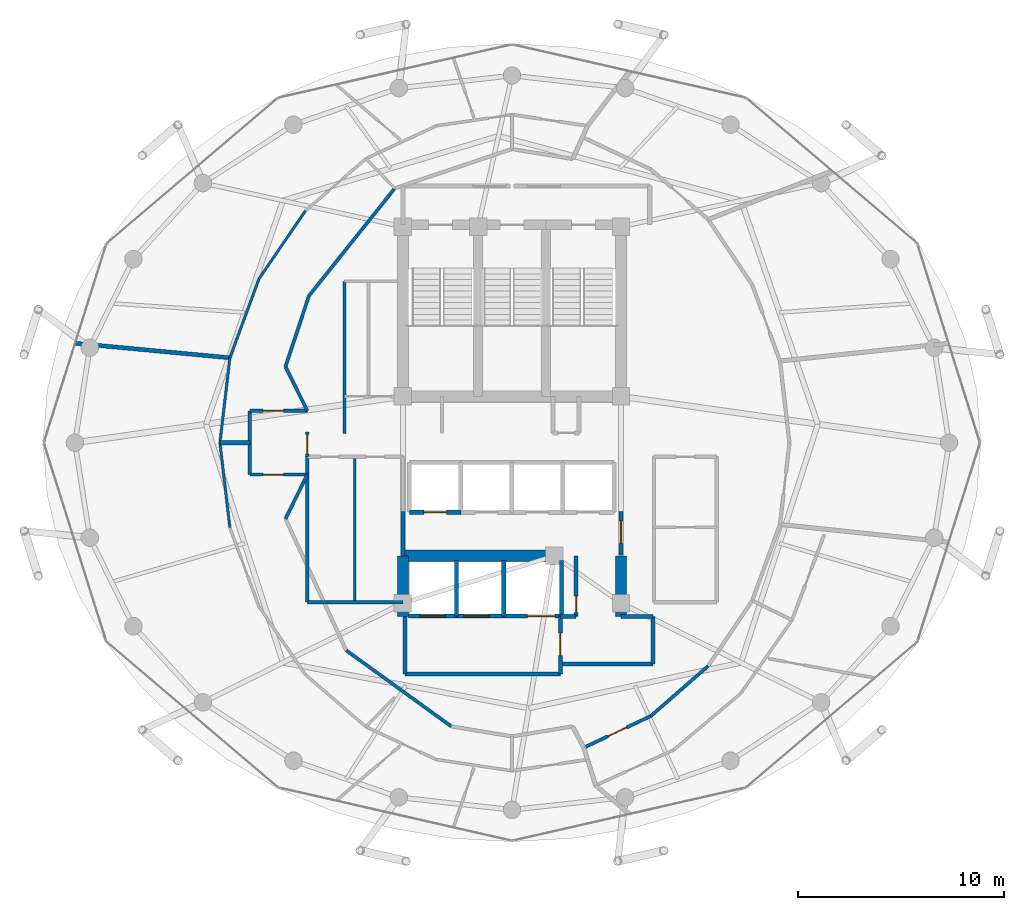
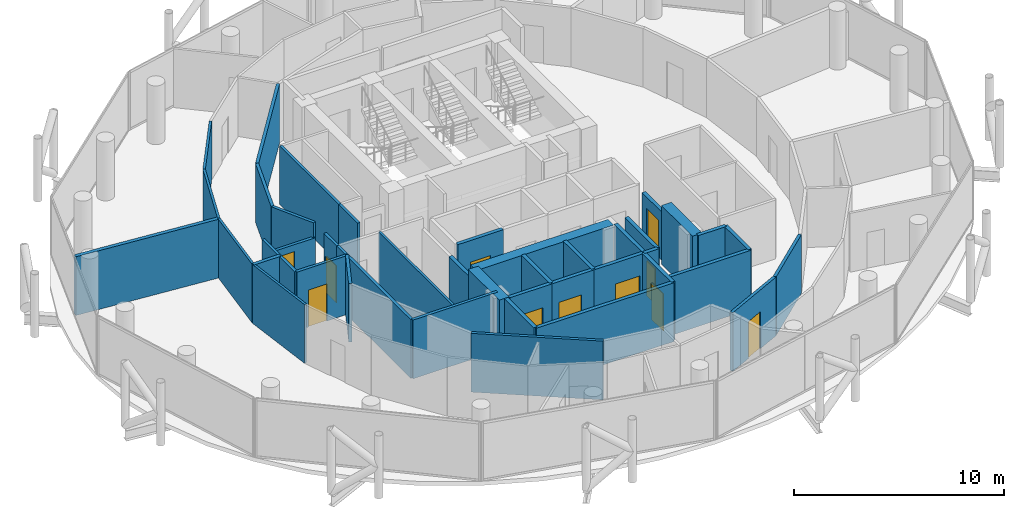
# One storey, part 23 of 27: 42 walls, 11 doors, 11 openings.
"""IFC4 building model written with IfcOpenShell, lengths in metres."""

import ifcopenshell
import ifcopenshell.guid

model = None  # the IFC model being written
_history = None  # IfcOwnerHistory: only IFC2X3 demands one
_inside = {}  # id of a spatial element -> (the spatial element, [elements in it])
_under = {}  # id of a project, library or spatial element -> (it, [spatial elements below it])
_declared = {}  # id of a project -> (the project, [libraries it declares])
_typed = {}  # id of a type object -> (the type object, [elements of that type])
_made_of = {}  # id of a material, layer set ... -> (it, [elements and type objects made of it])


def new_model(schema):
    """Start an empty IFC model of exactly this schema.

    Asked for "IFC4X3", IfcOpenShell would pick the latest addendum, in which some entities
    have other attributes; the version numbers below select the first issue.
    IFC2X3 requires an IfcOwnerHistory on every rooted entity: one is made here for all.
    """
    global model, _history
    if schema == "IFC4X3":
        model = ifcopenshell.file(schema_version=(4, 3, 0, 0))
    else:
        model = ifcopenshell.file(schema=schema)
    _inside.clear()
    _under.clear()
    _declared.clear()
    _typed.clear()
    _made_of.clear()
    _history = None
    if model.schema == "IFC2X3":
        org = make("IfcOrganization", Name="unknown")
        user = make(
            "IfcPersonAndOrganization",
            ThePerson=make("IfcPerson", FamilyName="unknown"),
            TheOrganization=org,
        )
        app = make(
            "IfcApplication",
            ApplicationDeveloper=org,
            Version="unknown",
            ApplicationFullName="unknown",
            ApplicationIdentifier="unknown",
        )
        _history = make(
            "IfcOwnerHistory",
            OwningUser=user,
            OwningApplication=app,
            ChangeAction="ADDED",
            CreationDate=0,
        )
    return model


def make(cls, **values):
    """One entity of the class cls with the attributes given. An attribute that is None is left unset."""
    return model.create_entity(
        cls, **{name: value for name, value in values.items() if value is not None}
    )


def rooted(cls, **values):
    """An entity with a GlobalId (a new one), such as an element, a storey or a relation."""
    return make(cls, GlobalId=ifcopenshell.guid.new(), OwnerHistory=_history, **values)


def si_unit(unit_type, name, prefix=None):
    """IfcSIUnit, for example si_unit("LENGTHUNIT", "METRE", prefix="MILLI")."""
    return make("IfcSIUnit", UnitType=unit_type, Prefix=prefix, Name=name)


def assignment(units):
    """IfcUnitAssignment: the units of a project."""
    return None if units is None else make("IfcUnitAssignment", Units=units)


def point(xyz):
    """IfcCartesianPoint."""
    return None if xyz is None else make("IfcCartesianPoint", Coordinates=xyz)


def direction(xyz):
    """IfcDirection."""
    return None if xyz is None else make("IfcDirection", DirectionRatios=xyz)


def frame(location, z_axis=None, x_axis=None):
    """IfcAxis2Placement3D, a coordinate frame: its origin and axes. An axis left out is left unset."""
    return make(
        "IfcAxis2Placement3D",
        Location=point(location),
        Axis=direction(z_axis),
        RefDirection=direction(x_axis),
    )


def frame_2d(location, x_axis=None):
    """IfcAxis2Placement2D, a coordinate frame in the plane: its origin and x axis."""
    return make(
        "IfcAxis2Placement2D", Location=point(location), RefDirection=direction(x_axis)
    )


def origin():
    """The frame at (0, 0, 0) with its axes left unset."""
    return frame((0.0, 0.0, 0.0))


def place(relative_to, where):
    """IfcLocalPlacement: puts the frame where relative to a parent placement (None: the world)."""
    return make(
        "IfcLocalPlacement", PlacementRelTo=relative_to, RelativePlacement=where
    )


def context(
    kind, dimensions, precision=None, world=None, true_north=None, identifier=None
):
    """IfcGeometricRepresentationContext, for example the 3D "Model" context."""
    return make(
        "IfcGeometricRepresentationContext",
        ContextIdentifier=identifier,
        ContextType=kind,
        CoordinateSpaceDimension=dimensions,
        Precision=precision,
        WorldCoordinateSystem=world,
        TrueNorth=true_north,
    )


def subcontext(parent, identifier, kind, view, scale=None):
    """IfcGeometricRepresentationSubContext, for example "Body" below "Model"."""
    return make(
        "IfcGeometricRepresentationSubContext",
        ContextIdentifier=identifier,
        ContextType=kind,
        ParentContext=parent,
        TargetScale=scale,
        TargetView=view,
    )


def project(units=None, contexts=None):
    """IfcProject with its units and contexts."""
    return rooted(
        "IfcProject",
        Name="project",
        RepresentationContexts=contexts,
        UnitsInContext=assignment(units),
    )


def spatial(cls, under=None, at=None, **own):
    """A site, building, storey or space (cls), placed at a placement, below another one or the project."""
    s = rooted(cls, ObjectPlacement=at, **own)
    if under is not None:
        _under.setdefault(under.id(), (under, []))[1].append(s)
    return s


def profile(cls, at=None, kind="AREA", **sizes):
    """A parametric profile (cls). Its sizes go by their IFC names, for example OverallWidth=200.0."""
    return make(cls, ProfileType=kind, Position=at, **sizes)


def rectangle(**sizes):
    """IfcRectangleProfileDef."""
    return profile("IfcRectangleProfileDef", **sizes)


def extrude(swept, where, along, depth):
    """IfcExtrudedAreaSolid: the profile swept, set in the frame where, extruded along a direction by depth."""
    return make(
        "IfcExtrudedAreaSolid",
        SweptArea=swept,
        Position=where,
        ExtrudedDirection=direction(along),
        Depth=depth,
    )


def shape(context_of_items, identifier, shape_type, items):
    """IfcShapeRepresentation: the items that make up one representation, for example the "Body"."""
    return make(
        "IfcShapeRepresentation",
        ContextOfItems=context_of_items,
        RepresentationIdentifier=identifier,
        RepresentationType=shape_type,
        Items=items,
    )


def material(Name=None, Category=None):
    """IfcMaterial."""
    return make("IfcMaterial", Name=Name, Category=Category)


def layer(
    of_material, thickness, ventilated=None, Name=None, Category=None, Priority=None
):
    """IfcMaterialLayer: one layer of a wall or slab, of a material (None: an air gap)."""
    return make(
        "IfcMaterialLayer",
        Material=of_material,
        LayerThickness=thickness,
        IsVentilated=ventilated,
        Name=Name,
        Category=Category,
        Priority=Priority,
    )


def layer_set(layers, Name=None):
    """IfcMaterialLayerSet."""
    return make("IfcMaterialLayerSet", MaterialLayers=layers, LayerSetName=Name)


def made_of(thing, what):
    """Note that an element or type object is made of a material, layer set ...; save() writes the relation."""
    if what is not None:
        _made_of.setdefault(what.id(), (what, []))[1].append(thing)
    return thing


def type_object(cls, material=None, **own):
    """A type object (cls), such as IfcWallType, which elements share."""
    return made_of(rooted(cls, **own), material)


def element(
    cls,
    number,
    at=None,
    inside=None,
    cuts=None,
    type_object=None,
    material=None,
    context=None,
    identifier="Body",
    shape_type=None,
    held_by="IfcProductDefinitionShape",
    body=None,
    shapes=None,
    **own,
):
    """One element of the class cls, such as IfcWall. Its Tag is "e" and its number.

    at: its placement. inside: the storey or other place that contains it. cuts: it is an
    opening in that element (IfcRelVoidsElement). A single representation is given by context,
    identifier, shape_type and body (its items); several are given by shapes. held_by: the class
    of the entity that holds the representations. save() writes the other relations.
    """
    e = rooted(cls, Tag="e%d" % number, ObjectPlacement=at, **own)
    if body is not None:
        shapes = [shape(context, identifier, shape_type, body)]
    if shapes is not None:
        e.Representation = make(held_by, Representations=shapes)
    if inside is not None:
        _inside.setdefault(inside.id(), (inside, []))[1].append(e)
    if cuts is not None:
        rooted(
            "IfcRelVoidsElement", RelatingBuildingElement=cuts, RelatedOpeningElement=e
        )
    if type_object is not None:
        _typed.setdefault(type_object.id(), (type_object, []))[1].append(e)
    return made_of(e, material)


def fill(opening, filler):
    """IfcRelFillsElement: the door or window that sits in an opening."""
    return rooted(
        "IfcRelFillsElement",
        RelatingOpeningElement=opening,
        RelatedBuildingElement=filler,
    )


def aggregate(whole, parts):
    """IfcRelAggregates: a whole, such as a stair, and the parts it consists of."""
    return rooted("IfcRelAggregates", RelatingObject=whole, RelatedObjects=parts)


def save(model, path):
    """Write the relations noted so far, then the file.

    IfcRelAggregates (storeys below a building ...), IfcRelContainedInSpatialStructure (elements
    in a storey), IfcRelDefinesByType, IfcRelAssociatesMaterial and IfcRelDeclares: one each for
    every whole, place, type object, material and project.
    """
    for whole, parts in _under.values():
        aggregate(whole, parts)
    for where, things in _inside.values():
        rooted(
            "IfcRelContainedInSpatialStructure",
            RelatedElements=things,
            RelatingStructure=where,
        )
    for kind, things in _typed.values():
        rooted("IfcRelDefinesByType", RelatedObjects=things, RelatingType=kind)
    for what, things in _made_of.values():
        rooted("IfcRelAssociatesMaterial", RelatedObjects=things, RelatingMaterial=what)
    for by, libraries in _declared.values():
        rooted("IfcRelDeclares", RelatingContext=by, RelatedDefinitions=libraries)
    model.write(path)


model = new_model("IFC4")

# Units and contexts
model_context = context("Model", 3, precision=1e-05, world=origin(), true_north=direction((0.0, 1.0)))
body_context = subcontext(model_context, "Body", "Model", "MODEL_VIEW")
ifc_project = project(units=[si_unit("LENGTHUNIT", "METRE"), si_unit("AREAUNIT", "SQUARE_METRE"), si_unit("VOLUMEUNIT", "CUBIC_METRE"), si_unit("PLANEANGLEUNIT", "RADIAN"), si_unit("MASSUNIT", "GRAM", prefix="KILO")], contexts=[model_context])

# Site, building, storey
site_placement = place(None, origin())
site = spatial("IfcSite", under=ifc_project, at=site_placement, CompositionType="ELEMENT")
building_placement = place(site_placement, origin())
building = spatial("IfcBuilding", under=site, at=building_placement, Name="Nuhasar Tower", CompositionType="ELEMENT")
storey_placement = place(building_placement, frame((0.0, 0.0, 248.300048828125)))
storey = spatial("IfcBuildingStorey", under=building, at=storey_placement, Name="L61", CompositionType="ELEMENT", Elevation=248.300048828125)

# Walls
ifc_material_1 = material(Name="Concrete C55/67", Category="concrete")
ifc_layer_1 = layer(ifc_material_1, 0.550048828125)
ifc_layer_set_1 = layer_set([ifc_layer_1], Name="Concrete C55/67")
wall_type_1 = type_object("IfcWallType", Name="WL-CORE-550", PredefinedType="SHEAR", material=ifc_layer_set_1)
for number, where, z_axis, x_axis, name in (
    (1, (33.699951171875, 18.35009765625, 0.0), (0.0, 0.0, 1.0), (0.0, 1.0, 0.0), "L61 Core Shear Wall CW-SW CW-550"),
    (2, (44.300048828125, 18.35009765625, 0.0), (0.0, 0.0, 1.0), (0.0, 1.0, 0.0), "L61 Core Shear Wall CW-SE CW-550"),
):
    element("IfcWall", number, at=place(storey_placement, frame(where, z_axis=z_axis, x_axis=x_axis)), inside=storey, type_object=wall_type_1, Name=name, PredefinedType="SHEAR", context=body_context, shape_type="SweptSolid", body=[
        extrude(rectangle(XDim=2.949951171875, YDim=0.550048828125, at=frame_2d((1.47509765625, 0.0))), origin(), (0.0, 0.0, 1.0), 3.409912109375),
    ])
wall_1_placement = place(storey_placement, frame((33.699951171875, 21.300048828125, 0.0), z_axis=(0.0, 0.0, 1.0), x_axis=(1.0, 0.0, 0.0)))
element("IfcWall", 3, at=wall_1_placement, inside=storey, type_object=wall_type_1, Name="L61 Core Shear Wall CW-S1 CW-550", PredefinedType="SHEAR", context=body_context, shape_type="SweptSolid", body=[
    extrude(rectangle(XDim=7.550048828125, YDim=0.550048828125, at=frame_2d((3.77490234375, 0.0))), origin(), (0.0, 0.0, 1.0), 3.409912109375),
])
ifc_material_2 = material(Name="Gypsum Board", Category="gypsum")
ifc_layer_2 = layer(ifc_material_2, 0.159912109375)
ifc_layer_set_2 = layer_set([ifc_layer_2], Name="Gypsum Board")
wall_type_2 = type_object("IfcWallType", Name="WL-CORR-160", PredefinedType="PARTITIONING", material=ifc_layer_set_2)
wall_2_placement = place(storey_placement, frame((29.050048828125, 19.050048828125, 0.0), z_axis=(0.0, 0.0, 1.0), x_axis=(1.0, 0.0, 0.0)))
element("IfcWall", 4, at=wall_2_placement, inside=storey, type_object=wall_type_2, Name="L61 Interior Partition RECL-B1-S", PredefinedType="PARTITIONING", context=body_context, shape_type="SweptSolid", body=[
    extrude(rectangle(XDim=4.64990234375, YDim=0.159912109375, at=frame_2d((2.324951171875, 0.0))), origin(), (0.0, 0.0, 1.0), 3.409912109375),
])
wall_3_placement = place(storey_placement, frame((29.050048828125, 19.050048828125, 0.0), z_axis=(0.0, 0.0, 1.0), x_axis=(0.0, 1.0, 0.0)))
element("IfcWall", 5, at=wall_3_placement, inside=storey, type_object=wall_type_2, Name="L61 Interior Partition RECL-B1-W", PredefinedType="PARTITIONING", context=body_context, shape_type="SweptSolid", body=[
    extrude(rectangle(XDim=7.070068359375, YDim=0.159912109375, at=frame_2d((3.53515625, 0.0))), origin(), (0.0, 0.0, 1.0), 3.409912109375),
])

# Wall, opening, door
wall_4_placement = place(storey_placement, frame((29.050048828125, 26.1201171875, 0.0), z_axis=(0.0, 0.0, 1.0), x_axis=(0.0, 1.0, 0.0)))
wall_4 = element("IfcWall", 6, at=wall_4_placement, inside=storey, type_object=wall_type_2, Name="L61 Interior Partition WVEST-E", PredefinedType="PARTITIONING", context=body_context, shape_type="SweptSolid", body=[
    extrude(rectangle(XDim=1.199951171875, YDim=0.159912109375, at=frame_2d((0.60009765625, 0.0))), origin(), (0.0, 0.0, 1.0), 3.409912109375),
])
opening_1_placement = place(wall_4_placement, frame((0.125, 0.0, 0.0)))
opening_1 = element("IfcOpeningElement", 7, at=opening_1_placement, cuts=wall_4, Name="Opening DO-01", PredefinedType="OPENING", context=body_context, shape_type="SweptSolid", body=[
    extrude(rectangle(XDim=0.949951171875, YDim=2.14990234375, at=frame_2d((0.47509765625, 1.074951171875))), frame((0.0, 0.08984375, 0.0), z_axis=(0.0, -1.0, 0.0), x_axis=(1.0, 0.0, 0.0)), (0.0, 0.0, 1.0), 0.179931640625),
])
ifc_material_3 = material(Name="Timber Oak", Category="wood")
door_type_1 = type_object("IfcDoorType", Name="DR-OFFICE-FD30-950", OperationType="NOTDEFINED", PredefinedType="DOOR", material=ifc_material_3)
door_1_placement = place(opening_1_placement, origin())
door_1 = element("IfcDoor", 8, at=door_1_placement, inside=storey, type_object=door_type_1, Name="L61 West Arrival Foyer Core Door", OperationType="SINGLE_SWING_RIGHT", OverallHeight=2.14990234375, OverallWidth=0.949951171875, PredefinedType="DOOR", context=body_context, shape_type="SweptSolid", body=[
    extrude(rectangle(XDim=0.949951171875, YDim=2.14990234375, at=frame_2d((0.47509765625, 1.074951171875))), frame((0.0, 0.02490234375, 0.0), z_axis=(0.0, -1.0, 0.0), x_axis=(1.0, 0.0, 0.0)), (0.0, 0.0, 1.0), 0.050048828125),
])
fill(opening_1, door_1)

wall_5_placement = place(storey_placement, frame((45.7451171875, 13.507080078125, 0.0), z_axis=(0.0, 0.0, 1.0), x_axis=(-0.90451704265, -0.42643747438, 0.0)))
wall_5 = element("IfcWall", 9, at=wall_5_placement, inside=storey, type_object=wall_type_2, Name="L61 Interior Partition CORR-38", PredefinedType="PARTITIONING", context=body_context, shape_type="SweptSolid", body=[
    extrude(rectangle(XDim=3.59765625, YDim=0.159912109375, at=frame_2d((1.798828125, 0.0))), origin(), (0.0, 0.0, 1.0), 3.409912109375),
])
opening_2_placement = place(wall_5_placement, frame((1.299072265625, 0.0, 0.0)))
opening_2 = element("IfcOpeningElement", 10, at=opening_2_placement, cuts=wall_5, Name="Opening DU-02", PredefinedType="OPENING", context=body_context, shape_type="SweptSolid", body=[
    extrude(rectangle(XDim=1.0, YDim=2.14990234375, at=frame_2d((0.5, 1.074951171875))), frame((0.0, 0.08984375, 0.0), z_axis=(0.0, -1.0, 0.0), x_axis=(1.0, 0.0, 0.0)), (0.0, 0.0, 1.0), 0.179931640625),
])
door_type_2 = type_object("IfcDoorType", Name="DR-FLAT-FD60-1000", OperationType="NOTDEFINED", PredefinedType="DOOR", material=ifc_material_3)
door_2_placement = place(opening_2_placement, origin())
door_2 = element("IfcDoor", 11, at=door_2_placement, inside=storey, type_object=door_type_2, Name="L61 South-East Family Apartment Entrance Door", OperationType="SINGLE_SWING_RIGHT", OverallHeight=2.14990234375, OverallWidth=1.0, PredefinedType="DOOR", context=body_context, shape_type="SweptSolid", body=[
    extrude(rectangle(XDim=1.0, YDim=2.14990234375, at=frame_2d((0.5, 1.074951171875))), frame((0.0, 0.02490234375, 0.0), z_axis=(0.0, -1.0, 0.0), x_axis=(1.0, 0.0, 0.0)), (0.0, 0.0, 1.0), 0.050048828125),
])
fill(opening_2, door_2)

# Walls
wall_6_placement = place(storey_placement, frame((45.7451171875, 13.507080078125, 0.0), z_axis=(0.0, 0.0, 1.0), x_axis=(0.75334282606, 0.65762800003, 0.0)))
element("IfcWall", 12, at=wall_6_placement, inside=storey, type_object=wall_type_2, Name="L61 Interior Partition CORR-40", PredefinedType="PARTITIONING", context=body_context, shape_type="SweptSolid", body=[
    extrude(rectangle(XDim=3.708740234375, YDim=0.159912109375, at=frame_2d((1.8544921875, 0.0))), origin(), (0.0, 0.0, 1.0), 3.409912109375),
])
wall_7_placement = place(storey_placement, frame((33.300048828125, 39.1669921875, 0.0), z_axis=(0.0, 0.0, 1.0), x_axis=(-0.623915746766, -0.781491612839, 0.0)))
element("IfcWall", 13, at=wall_7_placement, inside=storey, type_object=wall_type_2, Name="L61 Interior Partition UWEST-CORE-N2-16", PredefinedType="PARTITIONING", context=body_context, shape_type="SweptSolid", body=[
    extrude(rectangle(XDim=6.6884765625, YDim=0.159912109375, at=frame_2d((3.34423828125, 0.0))), origin(), (0.0, 0.0, 1.0), 3.409912109375),
])
wall_8_placement = place(storey_placement, frame((29.126953125, 33.93994140625, 0.0), z_axis=(0.0, 0.0, 1.0), x_axis=(-0.313985571683, -0.949427754374, 0.0)))
element("IfcWall", 14, at=wall_8_placement, inside=storey, type_object=wall_type_2, Name="L61 Interior Partition UWEST-CORE-N2-20", PredefinedType="PARTITIONING", context=body_context, shape_type="SweptSolid", body=[
    extrude(rectangle(XDim=3.627197265625, YDim=0.159912109375, at=frame_2d((1.8134765625, 0.0))), origin(), (0.0, 0.0, 1.0), 3.409912109375),
])
wall_9_placement = place(storey_placement, frame((30.93896484375, 16.702880859375, 0.0), z_axis=(0.0, 0.0, 1.0), x_axis=(0.810290119061, -0.586028943784, 0.0)))
element("IfcWall", 15, at=wall_9_placement, inside=storey, type_object=wall_type_2, Name="L61 Interior Partition UWEST-CORE-S1-30", PredefinedType="PARTITIONING", context=body_context, shape_type="SweptSolid", body=[
    extrude(rectangle(XDim=6.306396484375, YDim=0.159912109375, at=frame_2d((3.1533203125, 0.0))), origin(), (0.0, 0.0, 1.0), 3.409912109375),
])

# Wall, opening, door
wall_10_placement = place(storey_placement, frame((26.25, 28.35009765625, 0.0), z_axis=(0.0, 0.0, 1.0), x_axis=(1.0, 0.0, 0.0)))
wall_10 = element("IfcWall", 16, at=wall_10_placement, inside=storey, type_object=wall_type_2, Name="L61 Interior Partition WVEST-N", PredefinedType="PARTITIONING", context=body_context, shape_type="SweptSolid", body=[
    extrude(rectangle(XDim=2.800048828125, YDim=0.159912109375, at=frame_2d((1.39990234375, 0.0))), origin(), (0.0, 0.0, 1.0), 2.550048828125),
])
opening_3_placement = place(wall_10_placement, frame((0.64990234375, 0.0, 0.0)))
opening_3 = element("IfcOpeningElement", 17, at=opening_3_placement, cuts=wall_10, Name="Opening DU-02", PredefinedType="OPENING", context=body_context, shape_type="SweptSolid", body=[
    extrude(rectangle(XDim=1.0, YDim=2.14990234375, at=frame_2d((0.5, 1.074951171875))), frame((0.0, 0.08984375, 0.0), z_axis=(0.0, -1.0, 0.0), x_axis=(1.0, 0.0, 0.0)), (0.0, 0.0, 1.0), 0.179931640625),
])
door_3_placement = place(opening_3_placement, origin())
door_3 = element("IfcDoor", 18, at=door_3_placement, inside=storey, type_object=door_type_2, Name="L61 North-West Sky Home Entrance", OperationType="SINGLE_SWING_LEFT", OverallHeight=2.14990234375, OverallWidth=1.0, PredefinedType="DOOR", context=body_context, shape_type="SweptSolid", body=[
    extrude(rectangle(XDim=1.0, YDim=2.14990234375, at=frame_2d((0.5, 1.074951171875))), frame((0.0, 0.02490234375, 0.0), z_axis=(0.0, -1.0, 0.0), x_axis=(1.0, 0.0, 0.0)), (0.0, 0.0, 1.0), 0.050048828125),
])
fill(opening_3, door_3)

wall_11_placement = place(storey_placement, frame((26.25, 25.25, 0.0), z_axis=(0.0, 0.0, 1.0), x_axis=(1.0, 0.0, 0.0)))
wall_11 = element("IfcWall", 19, at=wall_11_placement, inside=storey, type_object=wall_type_2, Name="L61 Interior Partition WVEST-S", PredefinedType="PARTITIONING", context=body_context, shape_type="SweptSolid", body=[
    extrude(rectangle(XDim=2.800048828125, YDim=0.159912109375, at=frame_2d((1.39990234375, 0.0))), origin(), (0.0, 0.0, 1.0), 3.409912109375),
])
opening_4_placement = place(wall_11_placement, frame((0.64990234375, 0.0, 0.0)))
opening_4 = element("IfcOpeningElement", 20, at=opening_4_placement, cuts=wall_11, Name="Opening DU-02", PredefinedType="OPENING", context=body_context, shape_type="SweptSolid", body=[
    extrude(rectangle(XDim=1.0, YDim=2.14990234375, at=frame_2d((0.5, 1.074951171875))), frame((0.0, 0.08984375, 0.0), z_axis=(0.0, -1.0, 0.0), x_axis=(1.0, 0.0, 0.0)), (0.0, 0.0, 1.0), 0.179931640625),
])
door_4_placement = place(opening_4_placement, origin())
door_4 = element("IfcDoor", 21, at=door_4_placement, inside=storey, type_object=door_type_2, Name="L61 South-West Sky Home Entrance", OperationType="SINGLE_SWING_LEFT", OverallHeight=2.14990234375, OverallWidth=1.0, PredefinedType="DOOR", context=body_context, shape_type="SweptSolid", body=[
    extrude(rectangle(XDim=1.0, YDim=2.14990234375, at=frame_2d((0.5, 1.074951171875))), frame((0.0, 0.02490234375, 0.0), z_axis=(0.0, -1.0, 0.0), x_axis=(1.0, 0.0, 0.0)), (0.0, 0.0, 1.0), 0.050048828125),
])
fill(opening_4, door_4)

# Walls
wall_12_placement = place(storey_placement, frame((26.25, 25.25, 0.0), z_axis=(0.0, 0.0, 1.0), x_axis=(0.0, 1.0, 0.0)))
element("IfcWall", 22, at=wall_12_placement, inside=storey, type_object=wall_type_2, Name="L61 Interior Partition WVEST-W", PredefinedType="PARTITIONING", context=body_context, shape_type="SweptSolid", body=[
    extrude(rectangle(XDim=3.10009765625, YDim=0.159912109375, at=frame_2d((1.550048828125, 0.0))), origin(), (0.0, 0.0, 1.0), 3.409912109375),
])
for number, where, z_axis, x_axis, name in (
    (23, (27.988037109375, 30.49609375, 0.0), (0.0, 0.0, 1.0), (0.443539160525, -0.896254993337, 0.0), "L61 Interior Partition WVEST-CN"),
    (24, (27.988037109375, 23.10400390625, 0.0), (0.0, 0.0, 1.0), (0.443539160525, 0.896254993337, 0.0), "L61 Interior Partition WVEST-CS"),
):
    element("IfcWall", number, at=place(storey_placement, frame(where, z_axis=z_axis, x_axis=x_axis)), inside=storey, type_object=wall_type_2, Name=name, PredefinedType="PARTITIONING", context=body_context, shape_type="SweptSolid", body=[
        extrude(rectangle(XDim=2.394287109375, YDim=0.159912109375, at=frame_2d((1.197265625, 0.0))), origin(), (0.0, 0.0, 1.0), 3.409912109375),
    ])
ifc_material_4 = material(Name="Concrete C45/55", Category="concrete")
ifc_layer_3 = layer(ifc_material_4, 0.199951171875)
ifc_layer_set_3 = layer_set([ifc_layer_3], Name="Concrete C45/55")
wall_type_3 = type_object("IfcWallType", Name="WL-LOBBY-200", PredefinedType="SOLIDWALL", material=ifc_layer_set_3)
wall_13_placement = place(storey_placement, frame((33.699951171875, 21.300048828125, 0.0), z_axis=(0.0, 0.0, 1.0), x_axis=(0.0, 1.0, 0.0)))
element("IfcWall", 25, at=wall_13_placement, inside=storey, type_object=wall_type_3, Name="L61 Interior Partition LLBH-W", PredefinedType="SOLIDWALL", context=body_context, shape_type="SweptSolid", body=[
    extrude(rectangle(XDim=2.14990234375, YDim=0.199951171875, at=frame_2d((1.074951171875, 0.0))), origin(), (0.0, 0.0, 1.0), 2.794921875),
])

# Wall, opening, door
wall_14_placement = place(storey_placement, frame((44.300048828125, 21.35009765625, 0.0), z_axis=(0.0, 0.0, 1.0), x_axis=(0.0, 1.0, 0.0)))
wall_14 = element("IfcWall", 26, at=wall_14_placement, inside=storey, type_object=wall_type_3, Name="L61 Interior Partition LLBH-E", PredefinedType="SOLIDWALL", context=body_context, shape_type="SweptSolid", body=[
    extrude(rectangle(XDim=2.099853515625, YDim=0.199951171875, at=frame_2d((1.0498046875, 0.0))), origin(), (0.0, 0.0, 1.0), 2.794921875),
])
opening_5_placement = place(wall_14_placement, frame((0.550048828125, 0.0, 0.0)))
opening_5 = element("IfcOpeningElement", 27, at=opening_5_placement, cuts=wall_14, Name="Opening DS-02", PredefinedType="OPENING", context=body_context, shape_type="SweptSolid", body=[
    extrude(rectangle(XDim=1.10009765625, YDim=2.14990234375, at=frame_2d((0.550048828125, 1.074951171875))), frame((0.0, 0.10986328125, 0.0), z_axis=(0.0, -1.0, 0.0), x_axis=(1.0, 0.0, 0.0)), (0.0, 0.0, 1.0), 0.219970703125),
])
ifc_material_5 = material(Name="Steel S355", Category="steel")
door_type_3 = type_object("IfcDoorType", Name="DR-FFL-FD120-1100", OperationType="NOTDEFINED", PredefinedType="DOOR", material=ifc_material_5)
door_5_placement = place(opening_5_placement, origin())
door_5 = element("IfcDoor", 28, at=door_5_placement, inside=storey, type_object=door_type_3, Name="L61 High-Rise Lobby East Door", OperationType="SINGLE_SWING_RIGHT", OverallHeight=2.14990234375, OverallWidth=1.10009765625, PredefinedType="DOOR", context=body_context, shape_type="SweptSolid", body=[
    extrude(rectangle(XDim=1.10009765625, YDim=2.14990234375, at=frame_2d((0.550048828125, 1.074951171875))), frame((0.0, 0.02490234375, 0.0), z_axis=(0.0, -1.0, 0.0), x_axis=(1.0, 0.0, 0.0)), (0.0, 0.0, 1.0), 0.050048828125),
])
fill(opening_5, door_5)

# Walls
wall_15_placement = place(storey_placement, frame((33.800048828125, 15.550048828125, 0.0), z_axis=(0.0, 0.0, 1.0), x_axis=(1.0, 0.0, 0.0)))
element("IfcWall", 29, at=wall_15_placement, inside=storey, type_object=wall_type_3, Name="L61 Interior Partition FFL-S", PredefinedType="SOLIDWALL", context=body_context, shape_type="SweptSolid", body=[
    extrude(rectangle(XDim=7.550048828125, YDim=0.199951171875, at=frame_2d((3.77490234375, 0.0))), origin(), (0.0, 0.0, 1.0), 3.409912109375),
])
wall_16_placement = place(storey_placement, frame((33.800048828125, 15.550048828125, 0.0), z_axis=(0.0, 0.0, 1.0), x_axis=(0.0, 1.0, 0.0)))
element("IfcWall", 30, at=wall_16_placement, inside=storey, type_object=wall_type_3, Name="L61 Interior Partition FFL-W", PredefinedType="SOLIDWALL", context=body_context, shape_type="SweptSolid", body=[
    extrude(rectangle(XDim=2.800048828125, YDim=0.199951171875, at=frame_2d((1.39990234375, 0.0))), origin(), (0.0, 0.0, 1.0), 3.409912109375),
])

# Wall, opening, door
wall_17_placement = place(storey_placement, frame((41.35009765625, 15.550048828125, 0.0), z_axis=(0.0, 0.0, 1.0), x_axis=(0.0, 1.0, 0.0)))
wall_17 = element("IfcWall", 31, at=wall_17_placement, inside=storey, type_object=wall_type_3, Name="L61 Interior Partition FFL-E", PredefinedType="SOLIDWALL", context=body_context, shape_type="SweptSolid", body=[
    extrude(rectangle(XDim=2.800048828125, YDim=0.199951171875, at=frame_2d((1.39990234375, 0.0))), origin(), (0.0, 0.0, 1.0), 3.409912109375),
])
opening_6_placement = place(wall_17_placement, frame((0.89990234375, 0.0, 0.0)))
opening_6 = element("IfcOpeningElement", 32, at=opening_6_placement, cuts=wall_17, Name="Opening DS-02", PredefinedType="OPENING", context=body_context, shape_type="SweptSolid", body=[
    extrude(rectangle(XDim=1.10009765625, YDim=2.14990234375, at=frame_2d((0.550048828125, 1.074951171875))), frame((0.0, 0.10986328125, 0.0), z_axis=(0.0, -1.0, 0.0), x_axis=(1.0, 0.0, 0.0)), (0.0, 0.0, 1.0), 0.219970703125),
])
door_6_placement = place(opening_6_placement, origin())
door_6 = element("IfcDoor", 33, at=door_6_placement, inside=storey, type_object=door_type_3, Name="L61 Firefighting Lobby Door", OperationType="SINGLE_SWING_RIGHT", OverallHeight=2.14990234375, OverallWidth=1.10009765625, PredefinedType="DOOR", context=body_context, shape_type="SweptSolid", body=[
    extrude(rectangle(XDim=1.10009765625, YDim=2.14990234375, at=frame_2d((0.550048828125, 1.074951171875))), frame((0.0, 0.02490234375, 0.0), z_axis=(0.0, -1.0, 0.0), x_axis=(1.0, 0.0, 0.0)), (0.0, 0.0, 1.0), 0.050048828125),
])
fill(opening_6, door_6)

# Walls
wall_18_placement = place(storey_placement, frame((41.35009765625, 16.050048828125, 0.0), z_axis=(0.0, 0.0, 1.0), x_axis=(1.0, 0.0, 0.0)))
element("IfcWall", 34, at=wall_18_placement, inside=storey, type_object=wall_type_3, Name="L61 Interior Partition SVLV-S", PredefinedType="SOLIDWALL", context=body_context, shape_type="SweptSolid", body=[
    extrude(rectangle(XDim=4.5, YDim=0.199951171875, at=frame_2d((2.25, 0.0))), origin(), (0.0, 0.0, 1.0), 3.409912109375),
])
wall_19_placement = place(storey_placement, frame((45.85009765625, 16.050048828125, 0.0), z_axis=(0.0, 0.0, 1.0), x_axis=(0.0, 1.0, 0.0)))
element("IfcWall", 35, at=wall_19_placement, inside=storey, type_object=wall_type_3, Name="L61 Interior Partition SVLV-E", PredefinedType="SOLIDWALL", context=body_context, shape_type="SweptSolid", body=[
    extrude(rectangle(XDim=2.300048828125, YDim=0.199951171875, at=frame_2d((1.14990234375, 0.0))), origin(), (0.0, 0.0, 1.0), 3.409912109375),
])
wall_20_placement = place(storey_placement, frame((44.300048828125, 18.35009765625, 0.0), z_axis=(0.0, 0.0, 1.0), x_axis=(1.0, 0.0, 0.0)))
element("IfcWall", 36, at=wall_20_placement, inside=storey, type_object=wall_type_3, Name="L61 Interior Partition SVLV-N", PredefinedType="SOLIDWALL", context=body_context, shape_type="SweptSolid", body=[
    extrude(rectangle(XDim=1.550048828125, YDim=0.199951171875, at=frame_2d((0.77490234375, 0.0))), origin(), (0.0, 0.0, 1.0), 3.409912109375),
])
ifc_layer_4 = layer(ifc_material_2, 0.125)
ifc_layer_set_4 = layer_set([ifc_layer_4], Name="Gypsum Board")
wall_type_4 = type_object("IfcWallType", Name="WL-PART-125", PredefinedType="PARTITIONING", material=ifc_layer_set_4)
wall_21_placement = place(storey_placement, frame((31.35009765625, 19.050048828125, 0.0), z_axis=(0.0, 0.0, 1.0), x_axis=(0.0, 1.0, 0.0)))
element("IfcWall", 37, at=wall_21_placement, inside=storey, type_object=wall_type_4, Name="L61 Interior Partition RECL-B1-V", PredefinedType="PARTITIONING", context=body_context, shape_type="SweptSolid", body=[
    extrude(rectangle(XDim=7.070068359375, YDim=0.125, at=frame_2d((3.53515625, 0.0))), origin(), (0.0, 0.0, 1.0), 3.409912109375),
])
wall_22_placement = place(storey_placement, frame((28.958984375, 38.077880859375, 0.0), z_axis=(0.0, 0.0, 1.0), x_axis=(-0.56419813198, -0.825639429697, 0.0)))
element("IfcWall", 38, at=wall_22_placement, inside=storey, type_object=wall_type_4, Name="L61 Interior Partition USM-1-D-18", PredefinedType="PARTITIONING", context=body_context, shape_type="SweptSolid", body=[
    extrude(rectangle(XDim=4.00048828125, YDim=0.125, at=frame_2d((2.000244140625, 0.0))), origin(), (0.0, 0.0, 1.0), 3.409912109375),
])
wall_23_placement = place(storey_placement, frame((26.701904296875, 34.77490234375, 0.0), z_axis=(0.0, 0.0, 1.0), x_axis=(-0.345851608983, -0.938289222236, 0.0)))
element("IfcWall", 39, at=wall_23_placement, inside=storey, type_object=wall_type_4, Name="L61 Interior Partition USM-1-D-20", PredefinedType="PARTITIONING", context=body_context, shape_type="SweptSolid", body=[
    extrude(rectangle(XDim=4.099853515625, YDim=0.125, at=frame_2d((2.0498046875, 0.0))), origin(), (0.0, 0.0, 1.0), 3.409912109375),
])
for number, where, z_axis, x_axis, name in (
    (40, (25.283935546875, 30.927978515625, 0.0), (0.0, 0.0, 1.0), (-0.116425436493, -0.993199435027, 0.0), "L61 Interior Partition USM-1-D-22"),
    (41, (24.800048828125, 26.800048828125, 0.0), (0.0, 0.0, 1.0), (0.116425436493, -0.993199435027, 0.0), "L61 Interior Partition USM-2-D-24"),
):
    element("IfcWall", number, at=place(storey_placement, frame(where, z_axis=z_axis, x_axis=x_axis)), inside=storey, type_object=wall_type_4, Name=name, PredefinedType="PARTITIONING", context=body_context, shape_type="SweptSolid", body=[
        extrude(rectangle(XDim=4.15625, YDim=0.125, at=frame_2d((2.078125, 0.0))), origin(), (0.0, 0.0, 1.0), 3.409912109375),
    ])

# Wall, opening, door
ifc_layer_5 = layer(ifc_material_4, 0.199951171875)
ifc_layer_set_5 = layer_set([ifc_layer_5], Name="Concrete C45/55")
wall_type_5 = type_object("IfcWallType", Name="WL-SHAFT-200", PredefinedType="SOLIDWALL", material=ifc_layer_set_5)
wall_24_placement = place(storey_placement, frame((34.02001953125, 23.419921875, 0.0), z_axis=(0.0, 0.0, 1.0), x_axis=(1.0, 0.0, 0.0)))
wall_24 = element("IfcWall", 42, at=wall_24_placement, inside=storey, type_object=wall_type_5, Name="L61 Interior Partition SHF-PL-H01-S", PredefinedType="SOLIDWALL", context=body_context, shape_type="SweptSolid", body=[
    extrude(rectangle(XDim=2.5, YDim=0.199951171875, at=frame_2d((1.25, 0.0))), origin(), (0.0, 0.0, 1.0), 3.409912109375),
])
opening_7_placement = place(wall_24_placement, frame((0.699951171875, 0.0, 0.0)))
opening_7 = element("IfcOpeningElement", 43, at=opening_7_placement, cuts=wall_24, Name="Opening LD-H01", PredefinedType="OPENING", context=body_context, shape_type="SweptSolid", body=[
    extrude(rectangle(XDim=1.10009765625, YDim=2.14990234375, at=frame_2d((0.550048828125, 1.074951171875))), frame((0.0, 0.10986328125, 0.0), z_axis=(0.0, -1.0, 0.0), x_axis=(1.0, 0.0, 0.0)), (0.0, 0.0, 1.0), 0.219970703125),
])
ifc_material_6 = material(Name="Stainless Steel 316L", Category="steel")
door_type_4 = type_object("IfcDoorType", Name="LD-PAX-1100", OperationType="DOUBLE_DOOR_SLIDING", PredefinedType="DOOR", material=ifc_material_6)
door_7_placement = place(opening_7_placement, origin())
door_7 = element("IfcDoor", 44, at=door_7_placement, inside=storey, type_object=door_type_4, Name="L61 Lift Landing Door PL-H01", OperationType="DOUBLE_DOOR_SLIDING", OverallHeight=2.14990234375, OverallWidth=1.10009765625, PredefinedType="DOOR", context=body_context, shape_type="SweptSolid", body=[
    extrude(rectangle(XDim=1.10009765625, YDim=2.14990234375, at=frame_2d((0.550048828125, 1.074951171875))), frame((0.0, 0.02490234375, 0.0), z_axis=(0.0, -1.0, 0.0), x_axis=(1.0, 0.0, 0.0)), (0.0, 0.0, 1.0), 0.050048828125),
])
fill(opening_7, door_7)

wall_25_placement = place(storey_placement, frame((33.969970703125, 18.3701171875, 0.0), z_axis=(0.0, 0.0, 1.0), x_axis=(1.0, 0.0, 0.0)))
wall_25 = element("IfcWall", 45, at=wall_25_placement, inside=storey, type_object=wall_type_5, Name="L61 Interior Partition SHF-FFL-01-S", PredefinedType="SOLIDWALL", context=body_context, shape_type="SweptSolid", body=[
    extrude(rectangle(XDim=2.360107421875, YDim=0.199951171875, at=frame_2d((1.18017578125, 0.0))), origin(), (0.0, 0.0, 1.0), 3.409912109375),
])
opening_8_placement = place(wall_25_placement, frame((0.554931640625, 0.0, 0.0)))
opening_8 = element("IfcOpeningElement", 46, at=opening_8_placement, cuts=wall_25, Name="Opening LD-F01", PredefinedType="OPENING", context=body_context, shape_type="SweptSolid", body=[
    extrude(rectangle(XDim=1.25, YDim=2.199951171875, at=frame_2d((0.625, 1.10009765625))), frame((0.0, 0.10986328125, 0.0), z_axis=(0.0, -1.0, 0.0), x_axis=(1.0, 0.0, 0.0)), (0.0, 0.0, 1.0), 0.219970703125),
])
door_type_5 = type_object("IfcDoorType", Name="LD-FFL-1250", OperationType="DOUBLE_DOOR_SLIDING", PredefinedType="DOOR", material=ifc_material_6)
door_8_placement = place(opening_8_placement, origin())
door_8 = element("IfcDoor", 47, at=door_8_placement, inside=storey, type_object=door_type_5, Name="L61 Lift Landing Door FFL-01", OperationType="DOUBLE_DOOR_SLIDING", OverallHeight=2.199951171875, OverallWidth=1.25, PredefinedType="DOOR", context=body_context, shape_type="SweptSolid", body=[
    extrude(rectangle(XDim=1.25, YDim=2.199951171875, at=frame_2d((0.625, 1.10009765625))), frame((0.0, 0.02490234375, 0.0), z_axis=(0.0, -1.0, 0.0), x_axis=(1.0, 0.0, 0.0)), (0.0, 0.0, 1.0), 0.050048828125),
])
fill(opening_8, door_8)

# Wall
wall_26_placement = place(storey_placement, frame((36.300048828125, 18.3701171875, 0.0), z_axis=(0.0, 0.0, 1.0), x_axis=(0.0, 1.0, 0.0)))
element("IfcWall", 48, at=wall_26_placement, inside=storey, type_object=wall_type_5, Name="L61 Interior Partition SHF-FFL-01-E", PredefinedType="SOLIDWALL", context=body_context, shape_type="SweptSolid", body=[
    extrude(rectangle(XDim=2.7099609375, YDim=0.199951171875, at=frame_2d((1.35498046875, 0.0))), origin(), (0.0, 0.0, 1.0), 3.409912109375),
])

# Wall, opening, door
wall_27_placement = place(storey_placement, frame((36.27001953125, 18.3701171875, 0.0), z_axis=(0.0, 0.0, 1.0), x_axis=(1.0, 0.0, 0.0)))
wall_27 = element("IfcWall", 49, at=wall_27_placement, inside=storey, type_object=wall_type_5, Name="L61 Interior Partition SHF-FFL-02-S", PredefinedType="SOLIDWALL", context=body_context, shape_type="SweptSolid", body=[
    extrude(rectangle(XDim=2.35986328125, YDim=0.199951171875, at=frame_2d((1.179931640625, 0.0))), origin(), (0.0, 0.0, 1.0), 3.409912109375),
])
opening_9_placement = place(wall_27_placement, frame((0.3798828125, 0.0, 0.0)))
opening_9 = element("IfcOpeningElement", 50, at=opening_9_placement, cuts=wall_27, Name="Opening LD-F02", PredefinedType="OPENING", context=body_context, shape_type="SweptSolid", body=[
    extrude(rectangle(XDim=1.25, YDim=2.199951171875, at=frame_2d((0.625, 1.10009765625))), frame((0.0, 0.10986328125, 0.0), z_axis=(0.0, -1.0, 0.0), x_axis=(1.0, 0.0, 0.0)), (0.0, 0.0, 1.0), 0.219970703125),
])
door_9_placement = place(opening_9_placement, origin())
door_9 = element("IfcDoor", 51, at=door_9_placement, inside=storey, type_object=door_type_5, Name="L61 Lift Landing Door FFL-02", OperationType="DOUBLE_DOOR_SLIDING", OverallHeight=2.199951171875, OverallWidth=1.25, PredefinedType="DOOR", context=body_context, shape_type="SweptSolid", body=[
    extrude(rectangle(XDim=1.25, YDim=2.199951171875, at=frame_2d((0.625, 1.10009765625))), frame((0.0, 0.02490234375, 0.0), z_axis=(0.0, -1.0, 0.0), x_axis=(1.0, 0.0, 0.0)), (0.0, 0.0, 1.0), 0.050048828125),
])
fill(opening_9, door_9)

# Wall
wall_28_placement = place(storey_placement, frame((38.60009765625, 18.3701171875, 0.0), z_axis=(0.0, 0.0, 1.0), x_axis=(0.0, 1.0, 0.0)))
element("IfcWall", 52, at=wall_28_placement, inside=storey, type_object=wall_type_5, Name="L61 Interior Partition SHF-FFL-02-E", PredefinedType="SOLIDWALL", context=body_context, shape_type="SweptSolid", body=[
    extrude(rectangle(XDim=2.7099609375, YDim=0.199951171875, at=frame_2d((1.35498046875, 0.0))), origin(), (0.0, 0.0, 1.0), 3.409912109375),
])

# Wall, opening, door
wall_29_placement = place(storey_placement, frame((38.570068359375, 18.3701171875, 0.0), z_axis=(0.0, 0.0, 1.0), x_axis=(1.0, 0.0, 0.0)))
wall_29 = element("IfcWall", 53, at=wall_29_placement, inside=storey, type_object=wall_type_5, Name="L61 Interior Partition SHF-SVL-01-S", PredefinedType="SOLIDWALL", context=body_context, shape_type="SweptSolid", body=[
    extrude(rectangle(XDim=2.829833984375, YDim=0.199951171875, at=frame_2d((1.4150390625, 0.0))), origin(), (0.0, 0.0, 1.0), 3.409912109375),
])
opening_10_placement = place(wall_29_placement, frame((1.179931640625, 0.0, 0.0)))
opening_10 = element("IfcOpeningElement", 54, at=opening_10_placement, cuts=wall_29, Name="Opening LD-S01", PredefinedType="OPENING", context=body_context, shape_type="SweptSolid", body=[
    extrude(rectangle(XDim=1.35009765625, YDim=2.179931640625, at=frame_2d((0.675048828125, 1.08984375))), frame((0.0, 0.10986328125, 0.0), z_axis=(0.0, -1.0, 0.0), x_axis=(1.0, 0.0, 0.0)), (0.0, 0.0, 1.0), 0.219970703125),
])
door_type_6 = type_object("IfcDoorType", Name="LD-SVL-1350", OperationType="DOUBLE_DOOR_SLIDING", PredefinedType="DOOR", material=ifc_material_6)
door_10_placement = place(opening_10_placement, origin())
door_10 = element("IfcDoor", 55, at=door_10_placement, inside=storey, type_object=door_type_6, Name="L61 Lift Landing Door SVL-01", OperationType="DOUBLE_DOOR_SLIDING", OverallHeight=2.179931640625, OverallWidth=1.35009765625, PredefinedType="DOOR", context=body_context, shape_type="SweptSolid", body=[
    extrude(rectangle(XDim=1.35009765625, YDim=2.179931640625, at=frame_2d((0.675048828125, 1.08984375))), frame((0.0, 0.02490234375, 0.0), z_axis=(0.0, -1.0, 0.0), x_axis=(1.0, 0.0, 0.0)), (0.0, 0.0, 1.0), 0.050048828125),
])
fill(opening_10, door_10)

# Wall
wall_30_placement = place(storey_placement, frame((41.39990234375, 18.3701171875, 0.0), z_axis=(0.0, 0.0, 1.0), x_axis=(0.0, 1.0, 0.0)))
element("IfcWall", 56, at=wall_30_placement, inside=storey, type_object=wall_type_5, Name="L61 Interior Partition SHF-SVL-01-E", PredefinedType="SOLIDWALL", context=body_context, shape_type="SweptSolid", body=[
    extrude(rectangle(XDim=2.7099609375, YDim=0.199951171875, at=frame_2d((1.35498046875, 0.0))), origin(), (0.0, 0.0, 1.0), 3.409912109375),
])

# Wall, opening, door
wall_31_placement = place(storey_placement, frame((42.1201171875, 18.35009765625, 0.0), z_axis=(0.0, 0.0, 1.0), x_axis=(0.0, 1.0, 0.0)))
wall_31 = element("IfcWall", 57, at=wall_31_placement, inside=storey, type_object=wall_type_5, Name="L61 Interior Partition RSR-E", PredefinedType="SOLIDWALL", context=body_context, shape_type="SweptSolid", body=[
    extrude(rectangle(XDim=2.949951171875, YDim=0.199951171875, at=frame_2d((1.47509765625, 0.0))), origin(), (0.0, 0.0, 1.0), 3.409912109375),
])
opening_11_placement = place(wall_31_placement, frame((0.199951171875, 0.0, 0.0)))
opening_11 = element("IfcOpeningElement", 58, at=opening_11_placement, cuts=wall_31, Name="Opening DM-01", PredefinedType="OPENING", context=body_context, shape_type="SweptSolid", body=[
    extrude(rectangle(XDim=0.800048828125, YDim=2.050048828125, at=frame_2d((0.39990234375, 1.02490234375))), frame((0.0, 0.10986328125, 0.0), z_axis=(0.0, -1.0, 0.0), x_axis=(1.0, 0.0, 0.0)), (0.0, 0.0, 1.0), 0.219970703125),
])
door_type_7 = type_object("IfcDoorType", Name="DR-RISER-FD60-800", OperationType="NOTDEFINED", PredefinedType="DOOR", material=ifc_material_5)
door_11_placement = place(opening_11_placement, origin())
door_11 = element("IfcDoor", 59, at=door_11_placement, inside=storey, type_object=door_type_7, Name="L61 MEP Riser Access Door", OperationType="SINGLE_SWING_LEFT", OverallHeight=2.050048828125, OverallWidth=0.800048828125, PredefinedType="DOOR", context=body_context, shape_type="SweptSolid", body=[
    extrude(rectangle(XDim=0.800048828125, YDim=2.050048828125, at=frame_2d((0.39990234375, 1.02490234375))), frame((0.0, 0.02490234375, 0.0), z_axis=(0.0, -1.0, 0.0), x_axis=(1.0, 0.0, 0.0)), (0.0, 0.0, 1.0), 0.050048828125),
])
fill(opening_11, door_11)

# Walls
wall_32_placement = place(storey_placement, frame((41.35009765625, 18.35009765625, 0.0), z_axis=(0.0, 0.0, 1.0), x_axis=(1.0, 0.0, 0.0)))
element("IfcWall", 60, at=wall_32_placement, inside=storey, type_object=wall_type_5, Name="L61 Interior Partition RSR-S", PredefinedType="SOLIDWALL", context=body_context, shape_type="SweptSolid", body=[
    extrude(rectangle(XDim=0.77001953125, YDim=0.199951171875, at=frame_2d((0.385009765625, 0.0))), origin(), (0.0, 0.0, 1.0), 3.409912109375),
])
ifc_material_7 = material(Name="Concrete C40/50 precast", Category="concrete")
ifc_layer_6 = layer(ifc_material_7, 0.199951171875)
ifc_layer_set_6 = layer_set([ifc_layer_6], Name="Concrete C40/50 precast")
wall_type_6 = type_object("IfcWallType", Name="WL-UNIT-200", PredefinedType="PARTITIONING", material=ifc_layer_set_6)
wall_33_placement = place(storey_placement, frame((26.25, 26.800048828125, 0.0), z_axis=(0.0, 0.0, 1.0), x_axis=(-1.0, 0.0, 0.0)))
element("IfcWall", 61, at=wall_33_placement, inside=storey, type_object=wall_type_6, Name="L61 Interior Partition UWEST-PARTY-IN", PredefinedType="PARTITIONING", context=body_context, shape_type="SweptSolid", body=[
    extrude(rectangle(XDim=1.449951171875, YDim=0.199951171875, at=frame_2d((0.72509765625, 0.0))), origin(), (0.0, 0.0, 1.0), 3.409912109375),
])
wall_34_placement = place(storey_placement, frame((25.283935546875, 30.927978515625, 0.0), z_axis=(0.0, 0.0, 1.0), x_axis=(-0.995618938053, 0.093503637305, 0.0)))
element("IfcWall", 62, at=wall_34_placement, inside=storey, type_object=wall_type_6, Name="L61 Interior Partition UWEST-PARTY-OUT", PredefinedType="PARTITIONING", context=body_context, shape_type="SweptSolid", body=[
    extrude(rectangle(XDim=7.519775390625, YDim=0.199951171875, at=frame_2d((3.759765625, 0.0))), origin(), (0.0, 0.0, 1.0), 3.409912109375),
])
ifc_layer_7 = layer(ifc_material_7, 0.139892578125)
ifc_layer_set_7 = layer_set([ifc_layer_7], Name="Concrete C40/50 precast")
wall_type_7 = type_object("IfcWallType", Name="WL-WET-140", PredefinedType="PARTITIONING", material=ifc_layer_set_7)
wall_35_placement = place(storey_placement, frame((30.85009765625, 27.239990234375, 0.0), z_axis=(0.0, 0.0, 1.0), x_axis=(0.0, 1.0, 0.0)))
element("IfcWall", 63, at=wall_35_placement, inside=storey, type_object=wall_type_7, Name="L61 Interior Partition K2-FOY-W", PredefinedType="PARTITIONING", context=body_context, shape_type="SweptSolid", body=[
    extrude(rectangle(XDim=1.81005859375, YDim=0.139892578125, at=frame_2d((0.905029296875, 0.0))), origin(), (0.0, 0.0, 1.0), 3.409912109375),
])
wall_36_placement = place(storey_placement, frame((30.85009765625, 29.050048828125, 0.0), z_axis=(0.0, 0.0, 1.0), x_axis=(0.0, 1.0, 0.0)))
element("IfcWall", 64, at=wall_36_placement, inside=storey, type_object=wall_type_7, Name="L61 Interior Partition K2-NW-W", PredefinedType="PARTITIONING", context=body_context, shape_type="SweptSolid", body=[
    extrude(rectangle(XDim=5.599853515625, YDim=0.139892578125, at=frame_2d((2.7998046875, 0.0))), origin(), (0.0, 0.0, 1.0), 3.409912109375),
])

save(model, "model.ifc")
